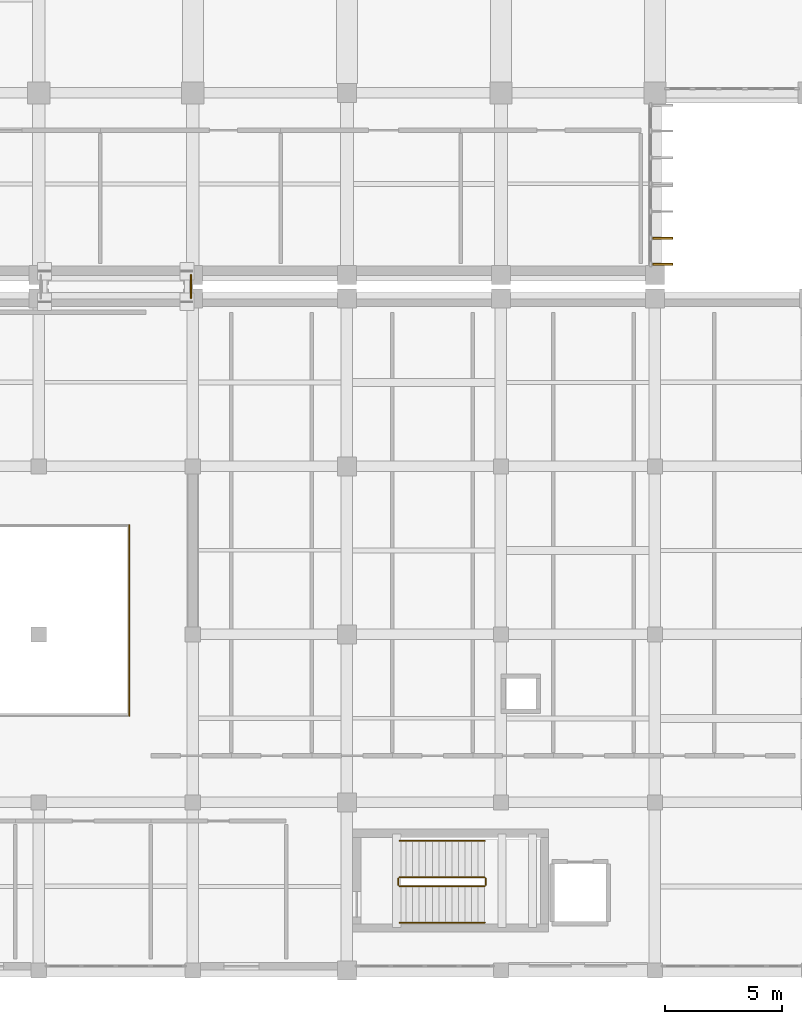
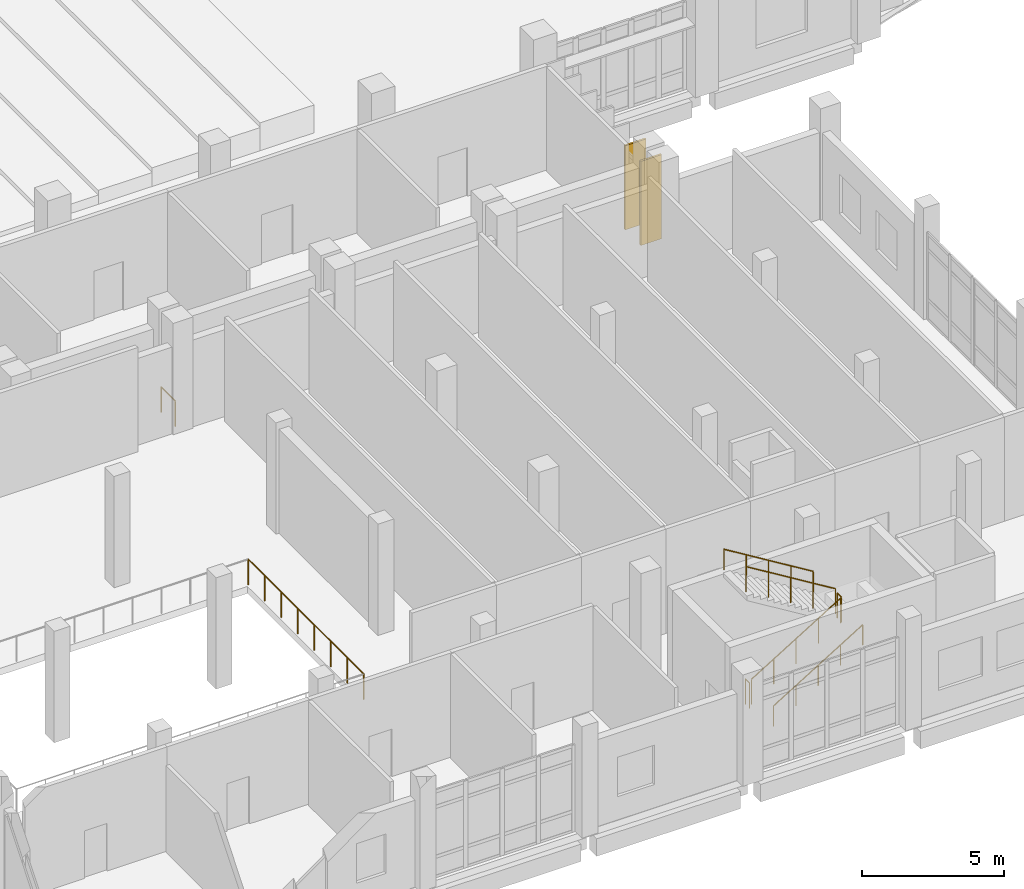
# One storey, part 83 of 90: 8 railings, 2 shading devices.
"""IFC4 building model written with IfcOpenShell, lengths in metres."""

from ifc_helpers import new_model, si_unit, direction, frame, origin, origin_2d, place, context, subcontext, project, spatial, rectangle, circle, extrude, material, layer, layer_set, type_object, element, save


model = new_model("IFC4")

# Units and contexts
model_context = context("Model", 3, precision=1e-05, world=origin(), true_north=direction((0.0, 1.0)))
body_context = subcontext(model_context, "Body", "Model", "MODEL_VIEW")
ifc_project = project(units=[si_unit("LENGTHUNIT", "METRE"), si_unit("AREAUNIT", "SQUARE_METRE"), si_unit("VOLUMEUNIT", "CUBIC_METRE"), si_unit("PLANEANGLEUNIT", "RADIAN"), si_unit("MASSUNIT", "GRAM", prefix="KILO")], contexts=[model_context])

# Site, building, storey
site_placement = place(None, origin())
site = spatial("IfcSite", under=ifc_project, at=site_placement, CompositionType="ELEMENT")
building_placement = place(site_placement, origin())
building = spatial("IfcBuilding", under=site, at=building_placement, Name="Kelarvand Opera House", CompositionType="ELEMENT")
storey_placement = place(building_placement, frame((0.0, 0.0, 5.39990234375)))
storey = spatial("IfcBuildingStorey", under=building, at=storey_placement, Name="L01", CompositionType="ELEMENT", Elevation=5.39990234375)

# Railings
ifc_material_1 = material(Name="Brushed bronze tubular rail")
railing_type_1 = type_object("IfcRailingType", Name="Brushed Bronze Stair Wall Handrail 900", PredefinedType="HANDRAIL", material=ifc_material_1)
railing_1_placement = place(storey_placement, frame((117.659912109375, 11.050048828125, 0.171630859375)))
element("IfcRailing", 1, at=railing_1_placement, inside=storey, type_object=railing_type_1, Name="L01 ST-08 stair handrail 1", PredefinedType="HANDRAIL", context=body_context, shape_type="SweptSolid", body=[
    extrude(circle(Radius=0.02392578125, at=origin_2d()), frame((0.0, 0.0, 0.8759765625), z_axis=(0.852865859571, 0.0, 0.52213008492), x_axis=(0.0, 1.0, 0.0)), (0.0, 0.0, 1.0), 4.26806640625),
    extrude(circle(Radius=0.02099609375, at=origin_2d()), origin(), (0.0, 0.0, 1.0), 0.851806640625),
    extrude(circle(Radius=0.02099609375, at=origin_2d()), frame((0.91015625, 0.0, 0.55712890625)), (0.0, 0.0, 1.0), 0.851806640625),
    extrude(circle(Radius=0.02099609375, at=origin_2d()), frame((1.820068359375, 0.0, 1.1142578125)), (0.0, 0.0, 1.0), 0.851806640625),
    extrude(circle(Radius=0.02099609375, at=origin_2d()), frame((2.72998046875, 0.0, 1.67138671875)), (0.0, 0.0, 1.0), 0.851806640625),
    extrude(circle(Radius=0.02099609375, at=origin_2d()), frame((3.64013671875, 0.0, 2.228515625)), (0.0, 0.0, 1.0), 0.851806640625),
])
railing_2_placement = place(storey_placement, frame((121.300048828125, 14.550048828125, 2.571533203125)))
element("IfcRailing", 2, at=railing_2_placement, inside=storey, type_object=railing_type_1, Name="L01 ST-08 stair handrail 2", PredefinedType="HANDRAIL", context=body_context, shape_type="SweptSolid", body=[
    extrude(circle(Radius=0.02392578125, at=origin_2d()), frame((0.0, 0.0, 0.8759765625), z_axis=(-0.852865859571, 0.0, 0.52213008492), x_axis=(0.0, -1.0, 0.0)), (0.0, 0.0, 1.0), 4.26806640625),
    extrude(circle(Radius=0.02099609375, at=origin_2d()), origin(), (0.0, 0.0, 1.0), 0.851806640625),
    extrude(circle(Radius=0.02099609375, at=origin_2d()), frame((-0.91015625, 0.0, 0.55712890625)), (0.0, 0.0, 1.0), 0.851806640625),
    extrude(circle(Radius=0.02099609375, at=origin_2d()), frame((-1.820068359375, 0.0, 1.1142578125)), (0.0, 0.0, 1.0), 0.851806640625),
    extrude(circle(Radius=0.02099609375, at=origin_2d()), frame((-2.72998046875, 0.0, 1.67138671875)), (0.0, 0.0, 1.0), 0.851806640625),
    extrude(circle(Radius=0.02099609375, at=origin_2d()), frame((-3.64013671875, 0.0, 2.228515625)), (0.0, 0.0, 1.0), 0.851806640625),
])
ifc_material_2 = material(Name="Laminated safety glass with bronze cap rail", Category="glass")
railing_type_2 = type_object("IfcRailingType", Name="Laminated Glass and Bronze Foyer Balustrade 1120", PredefinedType="BALUSTRADE", material=ifc_material_2)
railing_3_placement = place(storey_placement, frame((106.080078125, 28.080078125, 0.0)))
element("IfcRailing", 3, at=railing_3_placement, inside=storey, type_object=railing_type_2, Name="V6 L01 Balustrade 50", PredefinedType="BALUSTRADE", context=body_context, shape_type="SweptSolid", body=[
    extrude(circle(Radius=0.02392578125, at=origin_2d()), frame((0.0, 0.0, 1.09619140625), z_axis=(0.0, -1.0, 0.0), x_axis=(1.0, 0.0, 0.0)), (0.0, 0.0, 1.0), 8.16015625),
    extrude(circle(Radius=0.02099609375, at=origin_2d()), origin(), (0.0, 0.0, 1.0), 1.072021484375),
    extrude(circle(Radius=0.02099609375, at=origin_2d()), frame((0.0, -1.165771484375, 0.0)), (0.0, 0.0, 1.0), 1.072021484375),
    extrude(circle(Radius=0.02099609375, at=origin_2d()), frame((0.0, -2.33154296875, 0.0)), (0.0, 0.0, 1.0), 1.072021484375),
    extrude(circle(Radius=0.02099609375, at=origin_2d()), frame((0.0, -3.497314453125, 0.0)), (0.0, 0.0, 1.0), 1.072021484375),
    extrude(circle(Radius=0.02099609375, at=origin_2d()), frame((0.0, -4.662841796875, 0.0)), (0.0, 0.0, 1.0), 1.072021484375),
    extrude(circle(Radius=0.02099609375, at=origin_2d()), frame((0.0, -5.82861328125, 0.0)), (0.0, 0.0, 1.0), 1.072021484375),
    extrude(circle(Radius=0.02099609375, at=origin_2d()), frame((0.0, -6.994384765625, 0.0)), (0.0, 0.0, 1.0), 1.072021484375),
    extrude(circle(Radius=0.02099609375, at=origin_2d()), frame((0.0, -8.16015625, 0.0)), (0.0, 0.0, 1.0), 1.072021484375),
])
railing_4_placement = place(storey_placement, frame((108.719970703125, 37.800048828125, 0.0)))
element("IfcRailing", 4, at=railing_4_placement, inside=storey, type_object=railing_type_2, Name="V1 L01 Balustrade 168", PredefinedType="BALUSTRADE", context=body_context, shape_type="SweptSolid", body=[
    extrude(circle(Radius=0.02392578125, at=origin_2d()), frame((0.0, 0.0, 1.09619140625), z_axis=(0.0, 1.0, 0.0), x_axis=(-1.0, 0.0, 0.0)), (0.0, 0.0, 1.0), 1.0),
    extrude(circle(Radius=0.02099609375, at=origin_2d()), origin(), (0.0, 0.0, 1.0), 1.072021484375),
    extrude(circle(Radius=0.02099609375, at=origin_2d()), frame((0.0, 1.0, 0.0)), (0.0, 0.0, 1.0), 1.072021484375),
])
ifc_material_3 = material(Name="Powder-coated Steel S355", Category="steel")
railing_type_3 = type_object("IfcRailingType", Name="Painted Steel Stair and Void Guardrail 1100", PredefinedType="GUARDRAIL", material=ifc_material_3)
railing_5_placement = place(storey_placement, frame((117.659912109375, 12.610107421875, 0.171630859375)))
element("IfcRailing", 5, at=railing_5_placement, inside=storey, type_object=railing_type_3, Name="L01 ST-08 stair guard 1", PredefinedType="GUARDRAIL", context=body_context, shape_type="SweptSolid", body=[
    extrude(circle(Radius=0.02392578125, at=origin_2d()), frame((0.0, 0.0, 1.076171875), z_axis=(0.852865859571, 0.0, 0.52213008492), x_axis=(0.0, 1.0, 0.0)), (0.0, 0.0, 1.0), 4.26806640625),
    extrude(circle(Radius=0.02099609375, at=origin_2d()), origin(), (0.0, 0.0, 1.0), 1.052001953125),
    extrude(circle(Radius=0.02099609375, at=origin_2d()), frame((0.91015625, 0.0, 0.55712890625)), (0.0, 0.0, 1.0), 1.052001953125),
    extrude(circle(Radius=0.02099609375, at=origin_2d()), frame((1.820068359375, 0.0, 1.1142578125)), (0.0, 0.0, 1.0), 1.052001953125),
    extrude(circle(Radius=0.02099609375, at=origin_2d()), frame((2.72998046875, 0.0, 1.67138671875)), (0.0, 0.0, 1.0), 1.052001953125),
    extrude(circle(Radius=0.02099609375, at=origin_2d()), frame((3.64013671875, 0.0, 2.228515625)), (0.0, 0.0, 1.0), 1.052001953125),
])
railing_6_placement = place(storey_placement, frame((121.35009765625, 12.659912109375, 2.400146484375)))
element("IfcRailing", 6, at=railing_6_placement, inside=storey, type_object=railing_type_3, Name="L01 ST-08 stair guard 2", PredefinedType="GUARDRAIL", context=body_context, shape_type="SweptSolid", body=[
    extrude(circle(Radius=0.02392578125, at=origin_2d()), frame((0.0, 0.0, 1.076171875), z_axis=(0.0, 1.0, 0.0), x_axis=(-1.0, 0.0, 0.0)), (0.0, 0.0, 1.0), 0.280029296875),
    extrude(circle(Radius=0.02099609375, at=origin_2d()), origin(), (0.0, 0.0, 1.0), 1.052001953125),
    extrude(circle(Radius=0.02099609375, at=origin_2d()), frame((0.0, 0.280029296875, 0.0)), (0.0, 0.0, 1.0), 1.052001953125),
])
railing_7_placement = place(storey_placement, frame((121.300048828125, 12.989990234375, 2.571533203125)))
element("IfcRailing", 7, at=railing_7_placement, inside=storey, type_object=railing_type_3, Name="L01 ST-08 stair guard 3", PredefinedType="GUARDRAIL", context=body_context, shape_type="SweptSolid", body=[
    extrude(circle(Radius=0.02392578125, at=origin_2d()), frame((0.0, 0.0, 1.076171875), z_axis=(-0.852865859571, 0.0, 0.52213008492), x_axis=(0.0, -1.0, 0.0)), (0.0, 0.0, 1.0), 4.26806640625),
    extrude(circle(Radius=0.02099609375, at=origin_2d()), origin(), (0.0, 0.0, 1.0), 1.052001953125),
    extrude(circle(Radius=0.02099609375, at=origin_2d()), frame((-0.91015625, 0.0, 0.55712890625)), (0.0, 0.0, 1.0), 1.052001953125),
    extrude(circle(Radius=0.02099609375, at=origin_2d()), frame((-1.820068359375, 0.0, 1.1142578125)), (0.0, 0.0, 1.0), 1.052001953125),
    extrude(circle(Radius=0.02099609375, at=origin_2d()), frame((-2.72998046875, 0.0, 1.67138671875)), (0.0, 0.0, 1.0), 1.052001953125),
    extrude(circle(Radius=0.02099609375, at=origin_2d()), frame((-3.64013671875, 0.0, 2.228515625)), (0.0, 0.0, 1.0), 1.052001953125),
])
railing_8_placement = place(storey_placement, frame((117.610107421875, 12.659912109375, 0.0)))
element("IfcRailing", 8, at=railing_8_placement, inside=storey, type_object=railing_type_3, Name="L01 ST-08 stair guard 4", PredefinedType="GUARDRAIL", context=body_context, shape_type="SweptSolid", body=[
    extrude(circle(Radius=0.02392578125, at=origin_2d()), frame((0.0, 0.0, 1.076171875), z_axis=(0.0, 1.0, 0.0), x_axis=(-1.0, 0.0, 0.0)), (0.0, 0.0, 1.0), 0.280029296875),
    extrude(circle(Radius=0.02099609375, at=origin_2d()), origin(), (0.0, 0.0, 1.0), 1.052001953125),
    extrude(circle(Radius=0.02099609375, at=origin_2d()), frame((0.0, 0.280029296875, 0.0)), (0.0, 0.0, 1.0), 1.052001953125),
])

# Shading devices
ifc_material_4 = material(Name="Bronze-framed Azarshahr travertine fin", Category="masonry")
ifc_layer = layer(ifc_material_4, 0.080078125, Name="Bronze-framed Azarshahr travertine fin", Category="masonry")
ifc_layer_set = layer_set([ifc_layer], Name="Bronze-framed Azarshahr travertine fin")
shading_device_type = type_object("IfcShadingDeviceType", Name="Vertical Travertine-Bronze Solar Fin 850x80", PredefinedType="USERDEFINED", material=ifc_layer_set)
for number, where, z_axis, x_axis, name in (
    (9, (128.93994140625, 40.369140625, 0.000244140625), (0.0, 0.0, 1.0), (1.0, 0.0, 0.0), "V1 Solar Fin 47"),
    (10, (128.93994140625, 39.257568359375, 0.000244140625), (0.0, 0.0, 1.0), (1.0, 0.0, 0.0), "V1 Solar Fin 48"),
):
    element("IfcShadingDevice", number, at=place(storey_placement, frame(where, z_axis=z_axis, x_axis=x_axis)), inside=storey, type_object=shading_device_type, Name=name, ObjectType="FIN", PredefinedType="USERDEFINED", context=body_context, shape_type="SweptSolid", body=[
        extrude(rectangle(XDim=0.85009765625, YDim=0.080078125, at=origin_2d()), origin(), (0.0, 0.0, 1.0), 3.6298828125),
    ])

save(model, "model.ifc")
